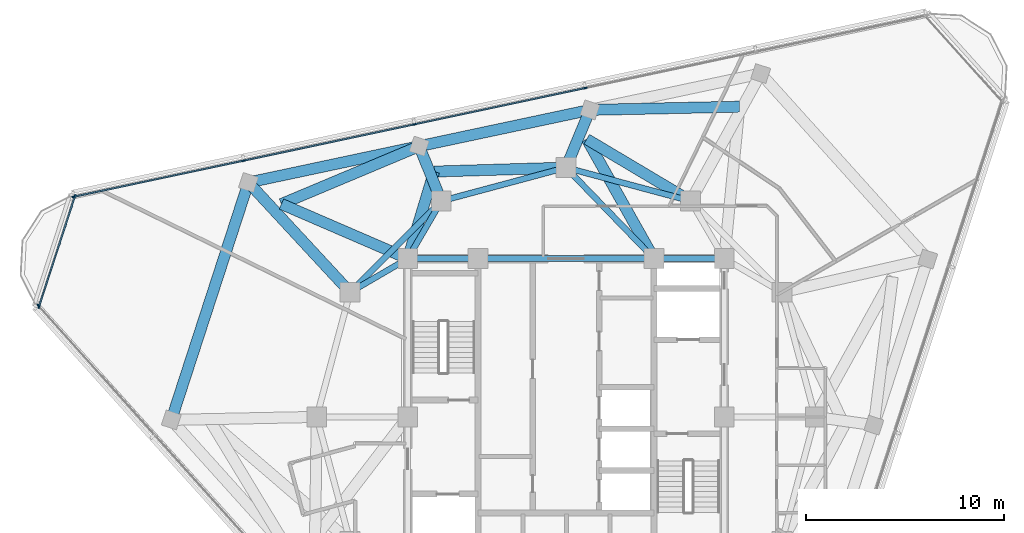
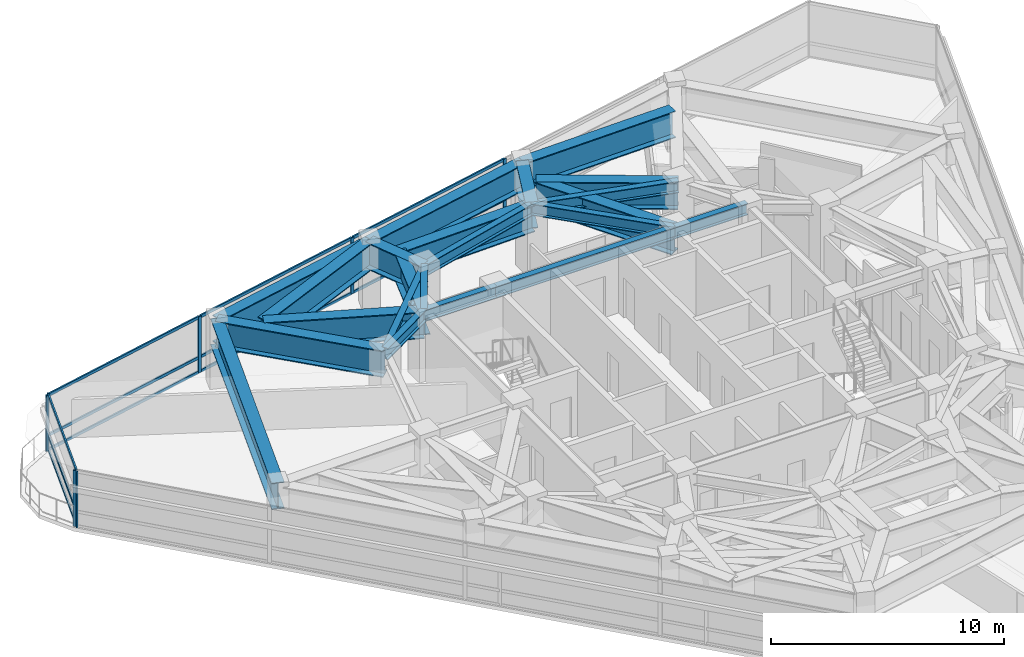
# One storey, part 5 of 15: 22 beams, 19 members, 3 elements without a shape of their own.
"""IFC4 building model written with IfcOpenShell, lengths in metres."""

from ifc_helpers import new_model, si_unit, direction, frame, origin, origin_2d, place, context, subcontext, project, spatial, rectangle, i_section, extrude, material, layer, layer_set, material_profile, profile_set, type_object, element, aggregate, save


model = new_model("IFC4")

# Units and contexts
model_context = context("Model", 3, precision=1e-05, world=origin(), true_north=direction((0.0, 1.0)))
body_context = subcontext(model_context, "Body", "Model", "MODEL_VIEW")
ifc_project = project(units=[si_unit("LENGTHUNIT", "METRE"), si_unit("AREAUNIT", "SQUARE_METRE"), si_unit("VOLUMEUNIT", "CUBIC_METRE"), si_unit("PLANEANGLEUNIT", "RADIAN"), si_unit("MASSUNIT", "GRAM", prefix="KILO")], contexts=[model_context])

# Site, building, storey
site_placement = place(None, origin())
site = spatial("IfcSite", under=ifc_project, at=site_placement, CompositionType="ELEMENT")
building_placement = place(site_placement, origin())
building = spatial("IfcBuilding", under=site, at=building_placement, Name="Terralouvre Media Tower", CompositionType="ELEMENT")
storey_placement = place(building_placement, frame((0.0, 0.0, 309.10009765625)))
storey = spatial("IfcBuildingStorey", under=building, at=storey_placement, Name="L80", CompositionType="ELEMENT", Elevation=309.10009765625)

# Curtain wall, members
ifc_material_1 = material(Name="Low-iron laminated double glazing with solar-control coating", Category="glass")
ifc_layer_1 = layer(ifc_material_1, 0.1650390625, Name="Faceted Glass-Point Crown Curtain Wall CW-06")
ifc_layer_set_1 = layer_set([ifc_layer_1], Name="Low-iron laminated double glazing with solar-control coating")
curtain_wall_type_1 = type_object("IfcCurtainWallType", Name="Faceted Glass-Point Crown Curtain Wall CW-06", PredefinedType="NOTDEFINED", material=ifc_layer_set_1)
curtain_wall_1_placement = place(storey_placement, origin())
curtain_wall_1 = element("IfcCurtainWall", 1, at=curtain_wall_1_placement, inside=storey, type_object=curtain_wall_type_1, Name="L80 Facade Curtain Wall F1", PredefinedType="NOTDEFINED")
ifc_material_2 = material(Name="Anodised extruded aluminium 6063-T6", Category="aluminium")
ifc_material_profile_1 = material_profile(ifc_material_2, rectangle(XDim=0.074951171875, YDim=0.14990234375, at=origin_2d()), Name="ALU 75x150")
ifc_profile_set_1 = profile_set([ifc_material_profile_1], Name="Anodised extruded aluminium 6063-T6")
member_type_1 = type_object("IfcMemberType", Name="Curtain-Wall Horizontal Transom TR-150", PredefinedType="USERDEFINED", material=ifc_profile_set_1)
member_1_placement = place(storey_placement, frame((0.940673828125, 16.614990234375, 0.037353515625), z_axis=(-0.978146154485, -0.207918494767, 0.0), x_axis=(0.207918494767, -0.978146154485, 0.0)))
member_1 = element("IfcMember", 2, at=member_1_placement, type_object=member_type_1, Name="CW-06 transom 3.1", ObjectType="TRANSOM", PredefinedType="USERDEFINED", context=body_context, shape_type="SweptSolid", body=[
    extrude(rectangle(XDim=0.074951171875, YDim=0.14990234375, at=origin_2d()), origin(), (0.0, 0.0, 1.0), 8.7490234375),
])
member_2_placement = place(storey_placement, frame((0.940673828125, 16.614990234375, 0.7998046875), z_axis=(-0.978146154485, -0.207918494767, 0.0), x_axis=(0.207918494767, -0.978146154485, 0.0)))
member_2 = element("IfcMember", 3, at=member_2_placement, type_object=member_type_1, Name="CW-06 transom 3.2", ObjectType="TRANSOM", PredefinedType="USERDEFINED", context=body_context, shape_type="SweptSolid", body=[
    extrude(rectangle(XDim=0.074951171875, YDim=0.14990234375, at=origin_2d()), origin(), (0.0, 0.0, 1.0), 8.7490234375),
])
member_3_placement = place(storey_placement, frame((0.940673828125, 16.614990234375, 2.90234375), z_axis=(-0.978146154485, -0.207918494767, 0.0), x_axis=(0.207918494767, -0.978146154485, 0.0)))
member_3 = element("IfcMember", 4, at=member_3_placement, type_object=member_type_1, Name="CW-06 transom 3.3", ObjectType="TRANSOM", PredefinedType="USERDEFINED", context=body_context, shape_type="SweptSolid", body=[
    extrude(rectangle(XDim=0.074951171875, YDim=0.14990234375, at=origin_2d()), origin(), (0.0, 0.0, 1.0), 8.7490234375),
])
member_4_placement = place(storey_placement, frame((-7.690673828125, 14.7802734375, 0.037353515625), z_axis=(-0.978150623206, -0.207897470697, 0.0), x_axis=(0.207897470697, -0.978150623206, 0.0)))
member_4 = element("IfcMember", 5, at=member_4_placement, type_object=member_type_1, Name="CW-06 transom 4.1", ObjectType="TRANSOM", PredefinedType="USERDEFINED", context=body_context, shape_type="SweptSolid", body=[
    extrude(rectangle(XDim=0.074951171875, YDim=0.14990234375, at=origin_2d()), origin(), (0.0, 0.0, 1.0), 8.748779296875),
])
member_5_placement = place(storey_placement, frame((-7.690673828125, 14.7802734375, 0.7998046875), z_axis=(-0.978150623206, -0.207897470697, 0.0), x_axis=(0.207897470697, -0.978150623206, 0.0)))
member_5 = element("IfcMember", 6, at=member_5_placement, type_object=member_type_1, Name="CW-06 transom 4.2", ObjectType="TRANSOM", PredefinedType="USERDEFINED", context=body_context, shape_type="SweptSolid", body=[
    extrude(rectangle(XDim=0.074951171875, YDim=0.14990234375, at=origin_2d()), origin(), (0.0, 0.0, 1.0), 8.748779296875),
])
member_6_placement = place(storey_placement, frame((-7.690673828125, 14.7802734375, 2.90234375), z_axis=(-0.978150623206, -0.207897470697, 0.0), x_axis=(0.207897470697, -0.978150623206, 0.0)))
member_6 = element("IfcMember", 7, at=member_6_placement, type_object=member_type_1, Name="CW-06 transom 4.3", ObjectType="TRANSOM", PredefinedType="USERDEFINED", context=body_context, shape_type="SweptSolid", body=[
    extrude(rectangle(XDim=0.074951171875, YDim=0.14990234375, at=origin_2d()), origin(), (0.0, 0.0, 1.0), 8.748779296875),
])
member_7_placement = place(storey_placement, frame((-16.32177734375, 12.94580078125, 0.037353515625), z_axis=(-0.978145600823, -0.207921099436, 0.0), x_axis=(0.207921099436, -0.978145600823, 0.0)))
member_7 = element("IfcMember", 8, at=member_7_placement, type_object=member_type_1, Name="CW-06 transom 5.1", ObjectType="TRANSOM", PredefinedType="USERDEFINED", context=body_context, shape_type="SweptSolid", body=[
    extrude(rectangle(XDim=0.074951171875, YDim=0.14990234375, at=origin_2d()), origin(), (0.0, 0.0, 1.0), 8.71142578125),
])
member_8_placement = place(storey_placement, frame((-16.32177734375, 12.94580078125, 0.7998046875), z_axis=(-0.978145600823, -0.207921099436, 0.0), x_axis=(0.207921099436, -0.978145600823, 0.0)))
member_8 = element("IfcMember", 9, at=member_8_placement, type_object=member_type_1, Name="CW-06 transom 5.2", ObjectType="TRANSOM", PredefinedType="USERDEFINED", context=body_context, shape_type="SweptSolid", body=[
    extrude(rectangle(XDim=0.074951171875, YDim=0.14990234375, at=origin_2d()), origin(), (0.0, 0.0, 1.0), 8.71142578125),
])
member_9_placement = place(storey_placement, frame((-16.32177734375, 12.94580078125, 2.90234375), z_axis=(-0.978145600823, -0.207921099436, 0.0), x_axis=(0.207921099436, -0.978145600823, 0.0)))
member_9 = element("IfcMember", 10, at=member_9_placement, type_object=member_type_1, Name="CW-06 transom 5.3", ObjectType="TRANSOM", PredefinedType="USERDEFINED", context=body_context, shape_type="SweptSolid", body=[
    extrude(rectangle(XDim=0.074951171875, YDim=0.14990234375, at=origin_2d()), origin(), (0.0, 0.0, 1.0), 8.71142578125),
])

ifc_material_3 = material(Name="Low-iron laminated double glazing with solar-control coating", Category="glass")
ifc_layer_2 = layer(ifc_material_3, 0.1650390625, Name="Rounded Wind-Corner Curved Glazing CW-04")
ifc_layer_set_2 = layer_set([ifc_layer_2], Name="Low-iron laminated double glazing with solar-control coating")
curtain_wall_type_2 = type_object("IfcCurtainWallType", Name="Rounded Wind-Corner Curved Glazing CW-04", PredefinedType="NOTDEFINED", material=ifc_layer_set_2)
curtain_wall_2_placement = place(storey_placement, origin())
curtain_wall_2 = element("IfcCurtainWall", 11, at=curtain_wall_2_placement, inside=storey, type_object=curtain_wall_type_2, Name="L80 Rounded Wind-Corner Curtain Wall C2", PredefinedType="NOTDEFINED")
member_10_placement = place(storey_placement, frame((-24.831298828125, 11.121826171875, 0.037353515625), z_axis=(-0.308980573489, -0.951068349387, 0.0), x_axis=(0.951068349387, -0.308980573489, 0.0)))
member_10 = element("IfcMember", 12, at=member_10_placement, type_object=member_type_1, Name="CW-04 transom 1.1", ObjectType="TRANSOM", PredefinedType="USERDEFINED", context=body_context, shape_type="SweptSolid", body=[
    extrude(rectangle(XDim=0.074951171875, YDim=0.14990234375, at=origin_2d()), origin(), (0.0, 0.0, 1.0), 5.808349609375),
])
member_11_placement = place(storey_placement, frame((-24.831298828125, 11.121826171875, 0.7998046875), z_axis=(-0.308980573489, -0.951068349387, 0.0), x_axis=(0.951068349387, -0.308980573489, 0.0)))
member_11 = element("IfcMember", 13, at=member_11_placement, type_object=member_type_1, Name="CW-04 transom 1.2", ObjectType="TRANSOM", PredefinedType="USERDEFINED", context=body_context, shape_type="SweptSolid", body=[
    extrude(rectangle(XDim=0.074951171875, YDim=0.14990234375, at=origin_2d()), origin(), (0.0, 0.0, 1.0), 5.808349609375),
])
member_12_placement = place(storey_placement, frame((-24.831298828125, 11.121826171875, 2.90234375), z_axis=(-0.308980573489, -0.951068349387, 0.0), x_axis=(0.951068349387, -0.308980573489, 0.0)))
member_12 = element("IfcMember", 14, at=member_12_placement, type_object=member_type_1, Name="CW-04 transom 1.3", ObjectType="TRANSOM", PredefinedType="USERDEFINED", context=body_context, shape_type="SweptSolid", body=[
    extrude(rectangle(XDim=0.074951171875, YDim=0.14990234375, at=origin_2d()), origin(), (0.0, 0.0, 1.0), 5.808349609375),
])

# Member
ifc_material_4 = material(Name="Anodised extruded aluminium 6063-T6", Category="aluminium")
ifc_material_profile_2 = material_profile(ifc_material_4, rectangle(XDim=0.074951171875, YDim=0.179931640625, at=origin_2d()), Name="ALU 75x180")
ifc_profile_set_2 = profile_set([ifc_material_profile_2], Name="Anodised extruded aluminium 6063-T6")
member_type_2 = type_object("IfcMemberType", Name="Curtain-Wall Vertical Mullion ML-180", PredefinedType="MULLION", material=ifc_profile_set_2)
member_13_placement = place(storey_placement, frame((0.977294921875, 16.622802734375, 0.0), z_axis=(0.0, 0.0, 1.0), x_axis=(0.207911618313, -0.978147616145, 0.0)))
member_13 = element("IfcMember", 15, at=member_13_placement, type_object=member_type_2, Name="CW-06 mullion 3", PredefinedType="MULLION", context=body_context, shape_type="SweptSolid", body=[
    extrude(rectangle(XDim=0.074951171875, YDim=0.179931640625, at=origin_2d()), origin(), (0.0, 0.0, 1.0), 2.93994140625),
])

member_14_placement = place(storey_placement, frame((-7.65380859375, 14.7880859375, 0.0), z_axis=(0.0, 0.0, 1.0), x_axis=(0.207911618313, -0.978147616145, 0.0)))
member_14 = element("IfcMember", 16, at=member_14_placement, type_object=member_type_2, Name="CW-06 mullion 4", PredefinedType="MULLION", context=body_context, shape_type="SweptSolid", body=[
    extrude(rectangle(XDim=0.074951171875, YDim=0.179931640625, at=origin_2d()), origin(), (0.0, 0.0, 1.0), 2.93994140625),
])

member_15_placement = place(storey_placement, frame((-16.28515625, 12.95361328125, 0.0), z_axis=(0.0, 0.0, 1.0), x_axis=(0.207911618313, -0.978147616145, 0.0)))
member_15 = element("IfcMember", 17, at=member_15_placement, type_object=member_type_2, Name="CW-06 mullion 5", PredefinedType="MULLION", context=body_context, shape_type="SweptSolid", body=[
    extrude(rectangle(XDim=0.074951171875, YDim=0.179931640625, at=origin_2d()), origin(), (0.0, 0.0, 1.0), 2.93994140625),
])

member_16_placement = place(storey_placement, frame((-24.879638671875, 11.126708984375, 0.0), z_axis=(0.0, 0.0, 1.0), x_axis=(0.207911618313, -0.978147616145, 0.0)))
member_16 = element("IfcMember", 18, at=member_16_placement, type_object=member_type_2, Name="CW-06 mullion 6", PredefinedType="MULLION", context=body_context, shape_type="SweptSolid", body=[
    extrude(rectangle(XDim=0.074951171875, YDim=0.179931640625, at=origin_2d()), origin(), (0.0, 0.0, 1.0), 2.93994140625),
])

aggregate(curtain_wall_1, [member_13, member_14, member_15, member_16, member_1, member_2, member_3, member_4, member_5, member_6, member_7, member_8, member_9])

# Curtain wall, member
curtain_wall_3_placement = place(storey_placement, origin())
curtain_wall_3 = element("IfcCurtainWall", 19, at=curtain_wall_3_placement, inside=storey, type_object=curtain_wall_type_1, Name="L80 Facade Curtain Wall F2", PredefinedType="NOTDEFINED")
member_17_placement = place(storey_placement, frame((-26.668212890625, 5.6220703125, 0.0), z_axis=(0.0, 0.0, 1.0), x_axis=(0.743144855036, 0.669130573531, 0.0)))
member_17 = element("IfcMember", 20, at=member_17_placement, type_object=member_type_2, Name="CW-06 mullion 1", PredefinedType="MULLION", context=body_context, shape_type="SweptSolid", body=[
    extrude(rectangle(XDim=0.074951171875, YDim=0.179931640625, at=origin_2d()), origin(), (0.0, 0.0, 1.0), 2.93994140625),
])
aggregate(curtain_wall_3, [member_17])

# Member
member_18_placement = place(storey_placement, frame((-24.819580078125, 11.157470703125, 0.0), z_axis=(0.0, 0.0, 1.0), x_axis=(0.951056661679, -0.30901654693, 0.0)))
member_18 = element("IfcMember", 21, at=member_18_placement, type_object=member_type_2, Name="CW-04 mullion 1", PredefinedType="MULLION", context=body_context, shape_type="SweptSolid", body=[
    extrude(rectangle(XDim=0.074951171875, YDim=0.179931640625, at=origin_2d()), origin(), (0.0, 0.0, 1.0), 2.93994140625),
])

member_19_placement = place(storey_placement, frame((-26.6376953125, 5.56201171875, 0.0), z_axis=(0.0, 0.0, 1.0), x_axis=(0.951056661679, -0.30901654693, 0.0)))
member_19 = element("IfcMember", 22, at=member_19_placement, type_object=member_type_2, Name="CW-04 mullion 2", PredefinedType="MULLION", context=body_context, shape_type="SweptSolid", body=[
    extrude(rectangle(XDim=0.074951171875, YDim=0.179931640625, at=origin_2d()), origin(), (0.0, 0.0, 1.0), 2.93994140625),
])

aggregate(curtain_wall_2, [member_18, member_19, member_10, member_11, member_12])

# Beams
ifc_material_5 = material(Name="Structural steel S460M", Category="steel")
ifc_material_profile_3 = material_profile(ifc_material_5, i_section(OverallWidth=0.300048828125, OverallDepth=0.60009765625, WebThickness=0.015380859375, FlangeThickness=0.030029296875, at=origin_2d()), Name="HEB 600")
ifc_profile_set_3 = profile_set([ifc_material_profile_3], Name="Structural steel S460M")
beam_type_1 = type_object("IfcBeamType", Name="Primary Floor Girder B-HEB600 (HEB 600)", PredefinedType="BEAM", material=ifc_profile_set_3)
beam_1_placement = place(storey_placement, frame((8.0, 8.0, 3.139892578125), z_axis=(-1.0, 0.0, 0.0), x_axis=(0.0, -1.0, 0.0)))
element("IfcBeam", 23, at=beam_1_placement, inside=storey, type_object=beam_type_1, Name="L80 Framing Beam BM-L80-CPR06", PredefinedType="BEAM", context=body_context, shape_type="SweptSolid", body=[
    extrude(i_section(OverallWidth=0.300048828125, OverallDepth=0.60009765625, WebThickness=0.015380859375, FlangeThickness=0.030029296875, at=origin_2d()), origin(), (0.0, 0.0, 1.0), 3.550048828125),
])
beam_2_placement = place(storey_placement, frame((4.449951171875, 8.0, 3.139892578125), z_axis=(-1.0, 0.0, 0.0), x_axis=(0.0, -1.0, 0.0)))
element("IfcBeam", 24, at=beam_2_placement, inside=storey, type_object=beam_type_1, Name="L80 Framing Beam BM-L80-CPR07", PredefinedType="BEAM", context=body_context, shape_type="SweptSolid", body=[
    extrude(i_section(OverallWidth=0.300048828125, OverallDepth=0.60009765625, WebThickness=0.015380859375, FlangeThickness=0.030029296875, at=origin_2d()), origin(), (0.0, 0.0, 1.0), 8.89990234375),
])
beam_3_placement = place(storey_placement, frame((-4.449951171875, 8.0, 3.139892578125), z_axis=(-1.0, 0.0, 0.0), x_axis=(0.0, -1.0, 0.0)))
element("IfcBeam", 25, at=beam_3_placement, inside=storey, type_object=beam_type_1, Name="L80 Framing Beam BM-L80-CPR08", PredefinedType="BEAM", context=body_context, shape_type="SweptSolid", body=[
    extrude(i_section(OverallWidth=0.300048828125, OverallDepth=0.60009765625, WebThickness=0.015380859375, FlangeThickness=0.030029296875, at=origin_2d()), origin(), (0.0, 0.0, 1.0), 3.550048828125),
])
for number, where, z_axis, x_axis, name in (
    (26, (6.300048828125, 10.911865234375, 3.139892578125), (-0.965920481897, 0.258838989821, 0.0), (-0.258838989821, -0.965920481897, 0.0), "L80 Framing Beam BM-L80-MR08"),
    (27, (0.0, 12.60009765625, 3.139892578125), (-0.965920481897, -0.258838989821, 0.0), (0.258838989821, -0.965920481897, 0.0), "L80 Framing Beam BM-L80-MR09"),
):
    element("IfcBeam", number, at=place(storey_placement, frame(where, z_axis=z_axis, x_axis=x_axis)), inside=storey, type_object=beam_type_1, Name=name, PredefinedType="BEAM", context=body_context, shape_type="SweptSolid", body=[
        extrude(i_section(OverallWidth=0.300048828125, OverallDepth=0.60009765625, WebThickness=0.015380859375, FlangeThickness=0.030029296875, at=origin_2d()), origin(), (0.0, 0.0, 1.0), 6.522216796875),
    ])
beam_4_placement = place(storey_placement, frame((-6.300048828125, 10.911865234375, 3.139892578125), z_axis=(-0.707106781187, -0.707106781187, 0.0), x_axis=(0.707106781187, -0.707106781187, 0.0)))
element("IfcBeam", 28, at=beam_4_placement, inside=storey, type_object=beam_type_1, Name="L80 Framing Beam BM-L80-MR10", PredefinedType="BEAM", context=body_context, shape_type="SweptSolid", body=[
    extrude(i_section(OverallWidth=0.300048828125, OverallDepth=0.60009765625, WebThickness=0.015380859375, FlangeThickness=0.030029296875, at=origin_2d()), origin(), (0.0, 0.0, 1.0), 6.52197265625),
])
beam_5_placement = place(storey_placement, frame((4.449951171875, 8.0, 3.139892578125), z_axis=(-0.695279715726, 0.718739255155, 0.0), x_axis=(-0.718739255155, -0.695279715726, 0.0)))
element("IfcBeam", 29, at=beam_5_placement, inside=storey, type_object=beam_type_1, Name="L80 Framing Beam BM-L80-CM09", PredefinedType="BEAM", context=body_context, shape_type="SweptSolid", body=[
    extrude(i_section(OverallWidth=0.300048828125, OverallDepth=0.60009765625, WebThickness=0.015380859375, FlangeThickness=0.030029296875, at=origin_2d()), origin(), (0.0, 0.0, 1.0), 6.400146484375),
])
for number, where, z_axis, x_axis, name in (
    (30, (-8.0, 8.0, 3.139892578125), (0.504172629717, 0.863602894532, 0.0), (-0.863602894532, 0.504172629717, 0.0), "L80 Framing Beam BM-L80-CM10"),
    (31, (-8.0, 8.0, 3.139892578125), (-0.863602894532, -0.504172629717, 0.0), (0.504172629717, -0.863602894532, 0.0), "L80 Framing Beam BM-L80-CM11"),
):
    element("IfcBeam", number, at=place(storey_placement, frame(where, z_axis=z_axis, x_axis=x_axis)), inside=storey, type_object=beam_type_1, Name=name, PredefinedType="BEAM", context=body_context, shape_type="SweptSolid", body=[
        extrude(i_section(OverallWidth=0.300048828125, OverallDepth=0.60009765625, WebThickness=0.015380859375, FlangeThickness=0.030029296875, at=origin_2d()), origin(), (0.0, 0.0, 1.0), 3.371826171875),
    ])
ifc_material_6 = material(Name="Structural steel S460M", Category="steel")
ifc_material_profile_4 = material_profile(ifc_material_6, i_section(OverallWidth=0.56005859375, OverallDepth=1.39990234375, WebThickness=0.031982421875, FlangeThickness=0.050048828125, at=origin_2d()), Name="TG 1400x560")
ifc_profile_set_4 = profile_set([ifc_material_profile_4], Name="Structural steel S460M")
beam_type_2 = type_object("IfcBeamType", Name="Welded Transfer Girder TG-1400 (TG 1400x560)", PredefinedType="USERDEFINED", material=ifc_profile_set_4)
for number, where, z_axis, x_axis, name in (
    (32, (1.212158203125, 15.517578125, 2.739990234375), (-0.97814485548, -0.207924605802, 0.0), (0.207924605802, -0.97814485548, 0.0), "L80 Framing Beam BM-L80-PR10"),
    (33, (-7.4189453125, 13.682861328125, 2.739990234375), (-0.97814485548, -0.207924605802, 0.0), (0.207924605802, -0.97814485548, 0.0), "L80 Framing Beam BM-L80-PR11"),
):
    element("IfcBeam", number, at=place(storey_placement, frame(where, z_axis=z_axis, x_axis=x_axis)), inside=storey, type_object=beam_type_2, Name=name, ObjectType="TRANSFER GIRDER", PredefinedType="USERDEFINED", context=body_context, shape_type="SweptSolid", body=[
        extrude(i_section(OverallWidth=0.56005859375, OverallDepth=1.39990234375, WebThickness=0.031982421875, FlangeThickness=0.050048828125, at=origin_2d()), origin(), (0.0, 0.0, 1.0), 8.823974609375),
    ])
beam_6_placement = place(storey_placement, frame((-16.050048828125, 11.84814453125, 2.739990234375), z_axis=(-0.309020441102, -0.951055396379, 0.0), x_axis=(0.951055396379, -0.309020441102, 0.0)))
element("IfcBeam", 34, at=beam_6_placement, inside=storey, type_object=beam_type_2, Name="L80 Framing Beam BM-L80-PR12", ObjectType="TRANSFER GIRDER", PredefinedType="USERDEFINED", context=body_context, shape_type="SweptSolid", body=[
    extrude(i_section(OverallWidth=0.56005859375, OverallDepth=1.39990234375, WebThickness=0.031982421875, FlangeThickness=0.050048828125, at=origin_2d()), origin(), (0.0, 0.0, 1.0), 12.616943359375),
])
beam_7_placement = place(storey_placement, frame((0.0, 12.60009765625, 2.739990234375), z_axis=(0.383682372078, 0.923465125143, 0.0), x_axis=(-0.923465125143, 0.383682372078, 0.0)))
element("IfcBeam", 35, at=beam_7_placement, inside=storey, type_object=beam_type_2, Name="L80 Framing Beam BM-L80-RD10", ObjectType="TRANSFER GIRDER", PredefinedType="USERDEFINED", context=body_context, shape_type="SweptSolid", body=[
    extrude(i_section(OverallWidth=0.56005859375, OverallDepth=1.39990234375, WebThickness=0.031982421875, FlangeThickness=0.050048828125, at=origin_2d()), origin(), (0.0, 0.0, 1.0), 3.1591796875),
])
beam_8_placement = place(storey_placement, frame((-6.300048828125, 10.911865234375, 2.739990234375), z_axis=(-0.374417122208, 0.927260383386, 0.0), x_axis=(-0.927260383386, -0.374417122208, 0.0)))
element("IfcBeam", 36, at=beam_8_placement, inside=storey, type_object=beam_type_2, Name="L80 Framing Beam BM-L80-RD11", ObjectType="TRANSFER GIRDER", PredefinedType="USERDEFINED", context=body_context, shape_type="SweptSolid", body=[
    extrude(i_section(OverallWidth=0.56005859375, OverallDepth=1.39990234375, WebThickness=0.031982421875, FlangeThickness=0.050048828125, at=origin_2d()), origin(), (0.0, 0.0, 1.0), 2.98828125),
])
beam_9_placement = place(storey_placement, frame((-10.911865234375, 6.300048828125, 2.739990234375), z_axis=(-0.679483353105, 0.733690924609, 0.0), x_axis=(-0.733690924609, -0.679483353105, 0.0)))
element("IfcBeam", 37, at=beam_9_placement, inside=storey, type_object=beam_type_2, Name="L80 Framing Beam BM-L80-RD12", ObjectType="TRANSFER GIRDER", PredefinedType="USERDEFINED", context=body_context, shape_type="SweptSolid", body=[
    extrude(i_section(OverallWidth=0.56005859375, OverallDepth=1.39990234375, WebThickness=0.031982421875, FlangeThickness=0.050048828125, at=origin_2d()), origin(), (0.0, 0.0, 1.0), 7.56201171875),
])
beam_10_placement = place(storey_placement, frame((8.763427734375, 15.679931640625, 2.739990234375), z_axis=(-0.999768951624, -0.021495194078, 0.0), x_axis=(0.021495194078, -0.999768951624, 0.0)))
element("IfcBeam", 38, at=beam_10_placement, inside=storey, type_object=beam_type_2, Name="L80 Framing Beam BM-L80-TR05S1", ObjectType="TRANSFER GIRDER", PredefinedType="USERDEFINED", context=body_context, shape_type="SweptSolid", body=[
    extrude(i_section(OverallWidth=0.56005859375, OverallDepth=1.39990234375, WebThickness=0.031982421875, FlangeThickness=0.050048828125, at=origin_2d()), origin(), (0.0, 0.0, 1.0), 7.552978515625),
])
beam_11_placement = place(storey_placement, frame((1.0478515625, 14.0400390625, 2.739990234375), z_axis=(0.85915870157, -0.511709219691, 0.0), x_axis=(0.511709219691, 0.85915870157, 0.0)))
element("IfcBeam", 39, at=beam_11_placement, inside=storey, type_object=beam_type_2, Name="L80 Framing Beam BM-L80-TR06S1", ObjectType="TRANSFER GIRDER", PredefinedType="USERDEFINED", context=body_context, shape_type="SweptSolid", body=[
    extrude(i_section(OverallWidth=0.56005859375, OverallDepth=1.39990234375, WebThickness=0.031982421875, FlangeThickness=0.050048828125, at=origin_2d()), origin(), (0.0, 0.0, 1.0), 6.11328125),
])
beam_12_placement = place(storey_placement, frame((1.0478515625, 14.0400390625, 2.739990234375), z_axis=(0.490762779749, -0.871293230786, 0.0), x_axis=(0.871293230786, 0.490762779749, 0.0)))
element("IfcBeam", 40, at=beam_12_placement, inside=storey, type_object=beam_type_2, Name="L80 Framing Beam BM-L80-TR06S2", ObjectType="TRANSFER GIRDER", PredefinedType="USERDEFINED", context=body_context, shape_type="SweptSolid", body=[
    extrude(i_section(OverallWidth=0.56005859375, OverallDepth=1.39990234375, WebThickness=0.031982421875, FlangeThickness=0.050048828125, at=origin_2d()), origin(), (0.0, 0.0, 1.0), 6.932373046875),
])
beam_13_placement = place(storey_placement, frame((-6.667724609375, 12.39990234375, 2.739990234375), z_axis=(-0.289802510756, -0.95708646671, 0.0), x_axis=(0.95708646671, -0.289802510756, 0.0)))
element("IfcBeam", 41, at=beam_13_placement, inside=storey, type_object=beam_type_2, Name="L80 Framing Beam BM-L80-TR07S1", ObjectType="TRANSFER GIRDER", PredefinedType="USERDEFINED", context=body_context, shape_type="SweptSolid", body=[
    extrude(i_section(OverallWidth=0.56005859375, OverallDepth=1.39990234375, WebThickness=0.031982421875, FlangeThickness=0.050048828125, at=origin_2d()), origin(), (0.0, 0.0, 1.0), 4.59716796875),
])
beam_14_placement = place(storey_placement, frame((-6.667724609375, 12.39990234375, 2.739990234375), z_axis=(0.999549568248, 0.030011008237, 0.0), x_axis=(-0.030011008237, 0.999549568248, 0.0)))
element("IfcBeam", 42, at=beam_14_placement, inside=storey, type_object=beam_type_2, Name="L80 Framing Beam BM-L80-TR07S2", ObjectType="TRANSFER GIRDER", PredefinedType="USERDEFINED", context=body_context, shape_type="SweptSolid", body=[
    extrude(i_section(OverallWidth=0.56005859375, OverallDepth=1.39990234375, WebThickness=0.031982421875, FlangeThickness=0.050048828125, at=origin_2d()), origin(), (0.0, 0.0, 1.0), 6.670654296875),
])
beam_15_placement = place(storey_placement, frame((-14.383544921875, 10.760009765625, 2.739990234375), z_axis=(0.917880192638, -0.39685759658, 0.0), x_axis=(0.39685759658, 0.917880192638, 0.0)))
element("IfcBeam", 43, at=beam_15_placement, inside=storey, type_object=beam_type_2, Name="L80 Framing Beam BM-L80-TR08S1", ObjectType="TRANSFER GIRDER", PredefinedType="USERDEFINED", context=body_context, shape_type="SweptSolid", body=[
    extrude(i_section(OverallWidth=0.56005859375, OverallDepth=1.39990234375, WebThickness=0.031982421875, FlangeThickness=0.050048828125, at=origin_2d()), origin(), (0.0, 0.0, 1.0), 6.95458984375),
])
beam_16_placement = place(storey_placement, frame((-14.383544921875, 10.760009765625, 2.739990234375), z_axis=(0.922089854883, 0.386975838422, 0.0), x_axis=(-0.386975838422, 0.922089854883, 0.0)))
element("IfcBeam", 44, at=beam_16_placement, inside=storey, type_object=beam_type_2, Name="L80 Framing Beam BM-L80-TR08S2", ObjectType="TRANSFER GIRDER", PredefinedType="USERDEFINED", context=body_context, shape_type="SweptSolid", body=[
    extrude(i_section(OverallWidth=0.56005859375, OverallDepth=1.39990234375, WebThickness=0.031982421875, FlangeThickness=0.050048828125, at=origin_2d()), origin(), (0.0, 0.0, 1.0), 7.552978515625),
])

save(model, "model.ifc")
